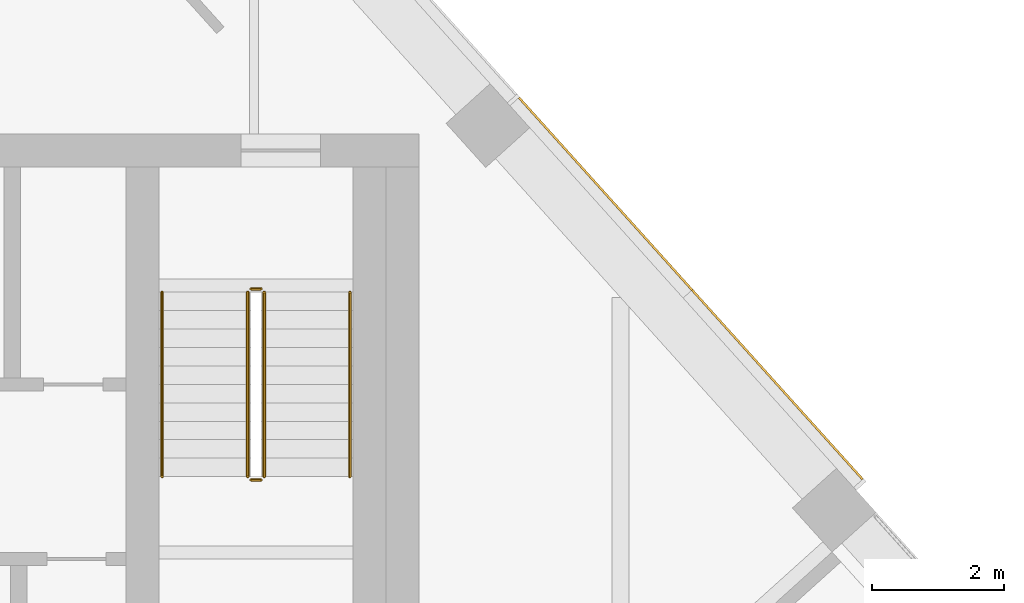
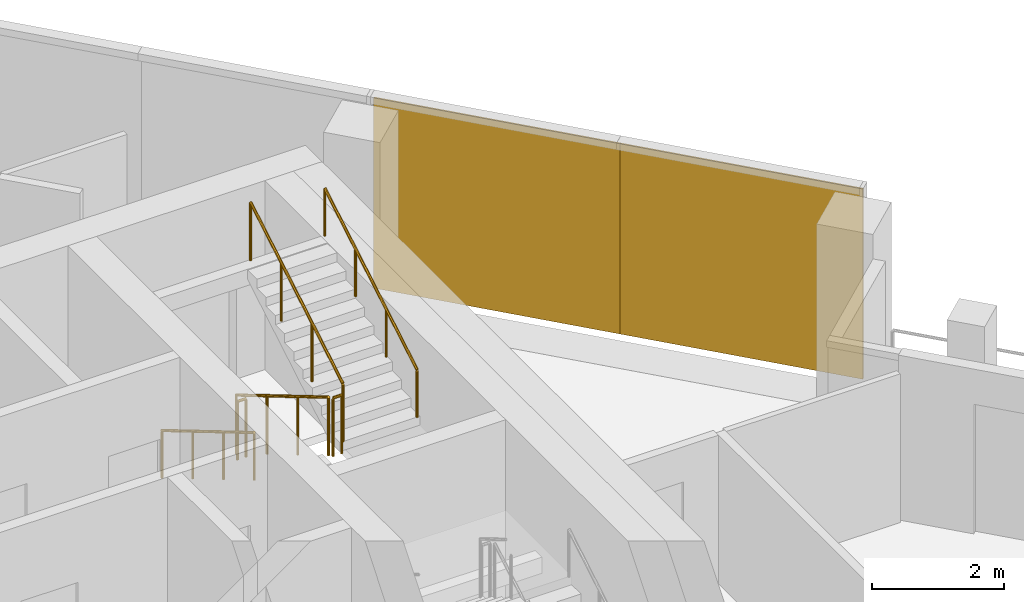
# One storey, part 19 of 20: 6 railings, 2 coverings, 1 element without a shape of its own.
"""IFC4 building model written with IfcOpenShell, lengths in metres."""

from ifc_helpers import new_model, si_unit, direction, frame, origin, origin_2d, place, context, subcontext, project, spatial, rectangle, circle, extrude, material, layer, layer_set, type_object, element, aggregate, save


model = new_model("IFC4")

# Units and contexts
model_context = context("Model", 3, precision=1e-05, world=origin(), true_north=direction((0.0, 1.0)))
body_context = subcontext(model_context, "Body", "Model", "MODEL_VIEW")
ifc_project = project(units=[si_unit("LENGTHUNIT", "METRE"), si_unit("AREAUNIT", "SQUARE_METRE"), si_unit("VOLUMEUNIT", "CUBIC_METRE"), si_unit("PLANEANGLEUNIT", "RADIAN"), si_unit("MASSUNIT", "GRAM", prefix="KILO")], contexts=[model_context])

# Site, building, storey
site_placement = place(None, origin())
site = spatial("IfcSite", under=ifc_project, at=site_placement, CompositionType="ELEMENT")
building_placement = place(site_placement, origin())
building = spatial("IfcBuilding", under=site, at=building_placement, Name="Isthmus Gate Tower", CompositionType="ELEMENT")
storey_placement = place(building_placement, frame((0.0, 0.0, 279.199951171875)))
storey = spatial("IfcBuildingStorey", under=building, at=storey_placement, Name="L71", CompositionType="ELEMENT", Elevation=279.199951171875)

# Curtain wall, coverings
ifc_material_1 = material(Name="Aluminium, pale champagne anodised", Category="aluminium")
ifc_layer_1 = layer(ifc_material_1, 0.199951171875)
ifc_layer_set_1 = layer_set([ifc_layer_1], Name="CW-1 UNITISED CURTAIN WALL 200 DEEP")
curtain_wall_type = type_object("IfcCurtainWallType", Name="CW-1 UNITISED CURTAIN WALL 200 DEEP", PredefinedType="NOTDEFINED", material=ifc_layer_set_1)
curtain_wall_placement = place(storey_placement, origin())
curtain_wall = element("IfcCurtainWall", 1, at=curtain_wall_placement, inside=storey, type_object=curtain_wall_type, Name="CW-1 NE L71", PredefinedType="NOTDEFINED")
ifc_material_2 = material(Name="Aluminium composite panel, pale champagne anodised", Category="aluminium")
ifc_layer_2 = layer(ifc_material_2, 0.031982421875)
ifc_layer_set_2 = layer_set([ifc_layer_2], Name="CW-1 PALE METAL PANEL 32")
covering_type = type_object("IfcCoveringType", Name="CW-1 PALE METAL PANEL 32", PredefinedType="CLADDING", material=ifc_layer_set_2)
covering_1_placement = place(storey_placement, frame((20.439453125, 11.196533203125, 0.0), z_axis=(0.0, 0.0, 1.0), x_axis=(-0.669130606359, 0.743144825477, 0.0)))
covering_1 = element("IfcCovering", 2, at=covering_1_placement, type_object=covering_type, Name="CW-1 pale metal panel", PredefinedType="CLADDING", context=body_context, shape_type="SweptSolid", body=[
    extrude(rectangle(XDim=3.868408203125, YDim=0.031982421875, at=origin_2d()), origin(), (0.0, 0.0, 1.0), 3.52001953125),
])
covering_2_placement = place(storey_placement, frame((17.8310546875, 14.093505859375, 0.0), z_axis=(0.0, 0.0, 1.0), x_axis=(-0.669130606359, 0.743144825477, 0.0)))
covering_2 = element("IfcCovering", 3, at=covering_2_placement, type_object=covering_type, Name="CW-1 pale metal panel", PredefinedType="CLADDING", context=body_context, shape_type="SweptSolid", body=[
    extrude(rectangle(XDim=3.928466796875, YDim=0.031982421875, at=origin_2d()), origin(), (0.0, 0.0, 1.0), 3.52001953125),
])
aggregate(curtain_wall, [covering_1, covering_2])

# Railings
ifc_material_3 = material(Name="Stainless steel balustrade", Category="steel")
railing_type_1 = type_object("IfcRailingType", Name="STAIR GUARD 1100", PredefinedType="GUARDRAIL", material=ifc_material_3)
railing_1_placement = place(storey_placement, frame((12.39990234375, 12.60009765625, 0.166015625)))
element("IfcRailing", 4, at=railing_1_placement, inside=storey, type_object=railing_type_1, Name="L71 ST2 stair guard 1", PredefinedType="GUARDRAIL", context=body_context, shape_type="SweptSolid", body=[
    extrude(circle(Radius=0.02392578125, at=origin_2d()), frame((0.0, 0.0, 1.076171875), z_axis=(0.0, -0.860339051648, 0.50972219513), x_axis=(1.0, 0.0, 0.0)), (0.0, 0.0, 1.0), 3.254638671875),
    extrude(circle(Radius=0.02099609375, at=origin_2d()), origin(), (0.0, 0.0, 1.0), 1.052001953125),
    extrude(circle(Radius=0.02099609375, at=origin_2d()), frame((0.0, -0.933349609375, 0.552978515625)), (0.0, 0.0, 1.0), 1.052001953125),
    extrude(circle(Radius=0.02099609375, at=origin_2d()), frame((0.0, -1.86669921875, 1.10595703125)), (0.0, 0.0, 1.0), 1.052001953125),
    extrude(circle(Radius=0.02099609375, at=origin_2d()), frame((0.0, -2.800048828125, 1.658935546875)), (0.0, 0.0, 1.0), 1.052001953125),
])
railing_2_placement = place(storey_placement, frame((12.449951171875, 9.75, 1.824951171875)))
element("IfcRailing", 5, at=railing_2_placement, inside=storey, type_object=railing_type_1, Name="L71 ST2 stair guard 2", PredefinedType="GUARDRAIL", context=body_context, shape_type="SweptSolid", body=[
    extrude(circle(Radius=0.02392578125, at=origin_2d()), frame((0.0, 0.0, 1.076171875), z_axis=(1.0, 0.0, 0.0), x_axis=(0.0, 1.0, 0.0)), (0.0, 0.0, 1.0), 0.150146484375),
    extrude(circle(Radius=0.02099609375, at=origin_2d()), origin(), (0.0, 0.0, 1.0), 1.052001953125),
    extrude(circle(Radius=0.02099609375, at=origin_2d()), frame((0.150146484375, 0.0, 0.0)), (0.0, 0.0, 1.0), 1.052001953125),
])
railing_3_placement = place(storey_placement, frame((12.64990234375, 9.800048828125, 1.990966796875)))
element("IfcRailing", 6, at=railing_3_placement, inside=storey, type_object=railing_type_1, Name="L71 ST2 stair guard 3", PredefinedType="GUARDRAIL", context=body_context, shape_type="SweptSolid", body=[
    extrude(circle(Radius=0.02392578125, at=origin_2d()), frame((0.0, 0.0, 1.076171875), z_axis=(0.0, 0.860306154799, 0.50977771628), x_axis=(-1.0, 0.0, 0.0)), (0.0, 0.0, 1.0), 3.254638671875),
    extrude(circle(Radius=0.02099609375, at=origin_2d()), origin(), (0.0, 0.0, 1.0), 1.052001953125),
    extrude(circle(Radius=0.02099609375, at=origin_2d()), frame((0.0, 0.933349609375, 0.552978515625)), (0.0, 0.0, 1.0), 1.052001953125),
    extrude(circle(Radius=0.02099609375, at=origin_2d()), frame((0.0, 1.86669921875, 1.106201171875)), (0.0, 0.0, 1.0), 1.052001953125),
    extrude(circle(Radius=0.02099609375, at=origin_2d()), frame((0.0, 2.800048828125, 1.6591796875)), (0.0, 0.0, 1.0), 1.052001953125),
])
railing_4_placement = place(storey_placement, frame((12.449951171875, 12.64990234375, 0.0)))
element("IfcRailing", 7, at=railing_4_placement, inside=storey, type_object=railing_type_1, Name="L71 ST2 stair guard 4", PredefinedType="GUARDRAIL", context=body_context, shape_type="SweptSolid", body=[
    extrude(circle(Radius=0.02392578125, at=origin_2d()), frame((0.0, 0.0, 1.076171875), z_axis=(1.0, 0.0, 0.0), x_axis=(0.0, 1.0, 0.0)), (0.0, 0.0, 1.0), 0.150146484375),
    extrude(circle(Radius=0.02099609375, at=origin_2d()), origin(), (0.0, 0.0, 1.0), 1.052001953125),
    extrude(circle(Radius=0.02099609375, at=origin_2d()), frame((0.150146484375, 0.0, 0.0)), (0.0, 0.0, 1.0), 1.052001953125),
])
ifc_material_4 = material(Name="Stainless steel handrail", Category="steel")
railing_type_2 = type_object("IfcRailingType", Name="STAIR HANDRAIL 900", PredefinedType="HANDRAIL", material=ifc_material_4)
railing_5_placement = place(storey_placement, frame((11.10009765625, 12.60009765625, 0.166015625)))
element("IfcRailing", 8, at=railing_5_placement, inside=storey, type_object=railing_type_2, Name="L71 ST2 stair handrail 1", PredefinedType="HANDRAIL", context=body_context, shape_type="SweptSolid", body=[
    extrude(circle(Radius=0.02392578125, at=origin_2d()), frame((0.0, 0.0, 0.8759765625), z_axis=(0.0, -0.860339051648, 0.50972219513), x_axis=(1.0, 0.0, 0.0)), (0.0, 0.0, 1.0), 3.254638671875),
    extrude(circle(Radius=0.02099609375, at=origin_2d()), origin(), (0.0, 0.0, 1.0), 0.851806640625),
    extrude(circle(Radius=0.02099609375, at=origin_2d()), frame((0.0, -0.933349609375, 0.552978515625)), (0.0, 0.0, 1.0), 0.851806640625),
    extrude(circle(Radius=0.02099609375, at=origin_2d()), frame((0.0, -1.86669921875, 1.10595703125)), (0.0, 0.0, 1.0), 0.851806640625),
    extrude(circle(Radius=0.02099609375, at=origin_2d()), frame((0.0, -2.800048828125, 1.658935546875)), (0.0, 0.0, 1.0), 0.851806640625),
])
railing_6_placement = place(storey_placement, frame((13.949951171875, 9.800048828125, 1.990966796875)))
element("IfcRailing", 9, at=railing_6_placement, inside=storey, type_object=railing_type_2, Name="L71 ST2 stair handrail 2", PredefinedType="HANDRAIL", context=body_context, shape_type="SweptSolid", body=[
    extrude(circle(Radius=0.02392578125, at=origin_2d()), frame((0.0, 0.0, 0.8759765625), z_axis=(0.0, 0.860306154799, 0.50977771628), x_axis=(-1.0, 0.0, 0.0)), (0.0, 0.0, 1.0), 3.254638671875),
    extrude(circle(Radius=0.02099609375, at=origin_2d()), origin(), (0.0, 0.0, 1.0), 0.851806640625),
    extrude(circle(Radius=0.02099609375, at=origin_2d()), frame((0.0, 0.933349609375, 0.552978515625)), (0.0, 0.0, 1.0), 0.851806640625),
    extrude(circle(Radius=0.02099609375, at=origin_2d()), frame((0.0, 1.86669921875, 1.106201171875)), (0.0, 0.0, 1.0), 0.851806640625),
    extrude(circle(Radius=0.02099609375, at=origin_2d()), frame((0.0, 2.800048828125, 1.6591796875)), (0.0, 0.0, 1.0), 0.851806640625),
])

save(model, "model.ifc")
